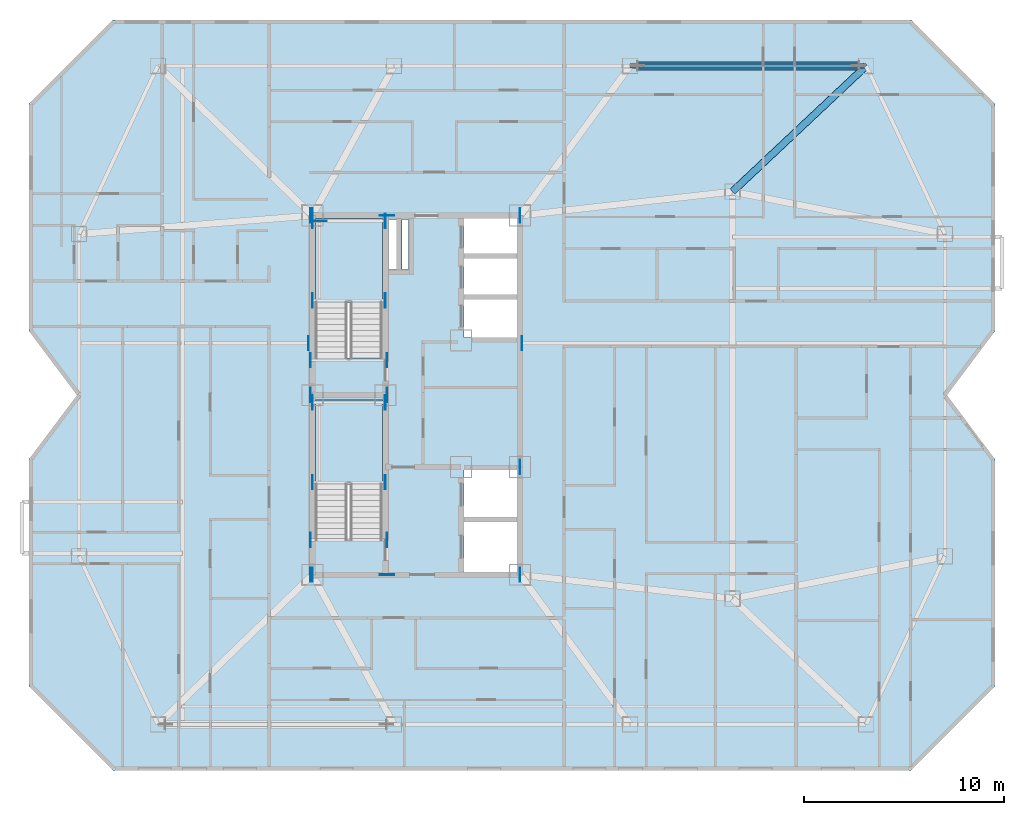
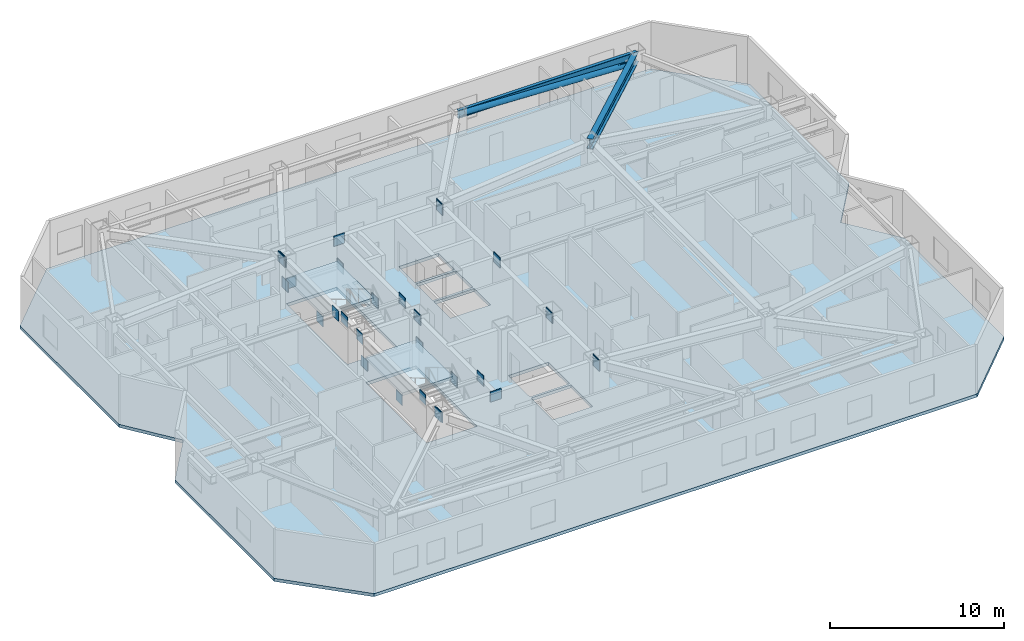
# One storey, part 2 of 12: 28 plates, 3 slabs, 2 beams, 1 member, 2 elements without a shape of their own.
"""IFC4 building model written with IfcOpenShell, lengths in metres."""

from ifc_helpers import new_model, si_unit, direction, frame, origin, origin_2d, place, context, subcontext, project, spatial, polyline, rectangle, hollow_circle, i_section, outline, extrude, material, layer, layer_set, material_profile, profile_set, type_object, element, aggregate, save


model = new_model("IFC4")

# Units and contexts
model_context = context("Model", 3, precision=1e-05, world=origin(), true_north=direction((0.0, 1.0)))
body_context = subcontext(model_context, "Body", "Model", "MODEL_VIEW")
ifc_project = project(units=[si_unit("LENGTHUNIT", "METRE"), si_unit("AREAUNIT", "SQUARE_METRE"), si_unit("VOLUMEUNIT", "CUBIC_METRE"), si_unit("PLANEANGLEUNIT", "RADIAN"), si_unit("MASSUNIT", "GRAM", prefix="KILO")], contexts=[model_context])

# Site, building, storey
site_placement = place(None, origin())
site = spatial("IfcSite", under=ifc_project, at=site_placement, CompositionType="ELEMENT")
building_placement = place(site_placement, origin())
building = spatial("IfcBuilding", under=site, at=building_placement, Name="Khamvora Tower", CompositionType="ELEMENT")
storey_placement = place(building_placement, frame((0.0, 0.0, 199.699951171875)))
storey = spatial("IfcBuildingStorey", under=building, at=storey_placement, Name="L51", CompositionType="ELEMENT", Elevation=199.699951171875)

# Beams
ifc_material_1 = material(Name="Steel S355", Category="steel")
ifc_material_profile_1 = material_profile(ifc_material_1, i_section(OverallWidth=0.35498046875, OverallDepth=0.695068359375, WebThickness=0.014892578125, FlangeThickness=0.02490234375, FilletRadius=0.01611328125, at=origin_2d()), Name="W690x217")
ifc_profile_set_1 = profile_set([ifc_material_profile_1], Name="Steel S355")
beam_type_1 = type_object("IfcBeamType", Name="BM-PG-W690x217", PredefinedType="BEAM", material=ifc_profile_set_1)
beam_1_placement = place(storey_placement, frame((50.050048828125, 38.199951171875, 3.08203125), z_axis=(0.728513992294, 0.685030921224, 0.0), x_axis=(-0.685030921224, 0.728513992294, 0.0)))
element("IfcBeam", 1, at=beam_1_placement, inside=storey, type_object=beam_type_1, Name="L51 primary floor girder N4", PredefinedType="BEAM", context=body_context, shape_type="SweptSolid", body=[
    extrude(i_section(OverallWidth=0.35498046875, OverallDepth=0.695068359375, WebThickness=0.014892578125, FlangeThickness=0.02490234375, FilletRadius=0.01611328125, at=origin_2d()), origin(), (0.0, 0.0, 1.0), 9.19677734375),
])
ifc_material_profile_2 = material_profile(ifc_material_1, i_section(OverallWidth=0.2119140625, OverallDepth=0.5439453125, WebThickness=0.012939453125, FlangeThickness=0.02099609375, FilletRadius=0.013916015625, at=origin_2d()), Name="W530x123")
ifc_profile_set_2 = profile_set([ifc_material_profile_2], Name="Steel S355")
beam_type_2 = type_object("IfcBeamType", Name="BM-SP-W530x123", PredefinedType="SPANDREL", material=ifc_profile_set_2)
beam_2_placement = place(storey_placement, frame((56.75, 44.5, 3.157958984375), z_axis=(-1.0, 0.0, 0.0), x_axis=(0.0, -1.0, 0.0)))
element("IfcBeam", 2, at=beam_2_placement, inside=storey, type_object=beam_type_2, Name="L51 perimeter spandrel beam N4-N3", PredefinedType="SPANDREL", context=body_context, shape_type="SweptSolid", body=[
    extrude(i_section(OverallWidth=0.2119140625, OverallDepth=0.5439453125, WebThickness=0.012939453125, FlangeThickness=0.02099609375, FilletRadius=0.013916015625, at=origin_2d()), origin(), (0.0, 0.0, 1.0), 11.8330078125),
])

# Member
ifc_material_profile_3 = material_profile(ifc_material_1, hollow_circle(Radius=0.202880859375, WallThickness=0.01611328125, at=origin_2d()), Name="CHS406x16")
ifc_profile_set_3 = profile_set([ifc_material_profile_3], Name="Steel S355")
member_type = type_object("IfcMemberType", Name="MEM-BR-CHS406", PredefinedType="BRACE", material=ifc_profile_set_3)
member_placement = place(storey_placement, frame((56.3701171875, 44.5, 2.695068359375), z_axis=(-0.99916825461, 0.0, 0.040777432241), x_axis=(0.0, -1.0, 0.0)))
element("IfcMember", 3, at=member_placement, inside=storey, type_object=member_type, Name="L51 perimeter wind brace 2", PredefinedType="BRACE", context=body_context, shape_type="SweptSolid", body=[
    extrude(hollow_circle(Radius=0.202880859375, WallThickness=0.01611328125, at=origin_2d()), origin(), (0.0, 0.0, 1.0), 11.082275390625),
])

# Plates
ifc_material_2 = material(Name="Steel S460", Category="steel")
ifc_layer_1 = layer(ifc_material_2, 0.034912109375)
ifc_layer_set_1 = layer_set([ifc_layer_1], Name="Steel S460")
plate_type = type_object("IfcPlateType", Name="PL-EMB-35", PredefinedType="SHEET", material=ifc_layer_set_1)
for number, where, z_axis, x_axis, name in (
    (4, (29.0, 23.635009765625, 1.13427734375), (0.0, 0.0, 1.0), (1.0, 0.0, 0.0), "L51 core shear wall cast-in embed plate 1478"),
    (5, (32.64990234375, 23.635009765625, 1.13427734375), (0.0, 0.0, 1.0), (1.0, 0.0, 0.0), "L51 core shear wall cast-in embed plate 1479"),
    (6, (29.0, 27.6298828125, 1.13427734375), (0.0, 0.0, 1.0), (1.0, 0.0, 0.0), "L51 core shear wall cast-in embed plate 1480"),
    (7, (32.64990234375, 27.6298828125, 1.13427734375), (0.0, 0.0, 1.0), (1.0, 0.0, 0.0), "L51 core shear wall cast-in embed plate 1481"),
    (8, (29.0, 32.735107421875, 1.13427734375), (0.0, 0.0, 1.0), (1.0, 0.0, 0.0), "L51 core shear wall cast-in embed plate 1482"),
    (9, (32.64990234375, 32.735107421875, 1.13427734375), (0.0, 0.0, 1.0), (1.0, 0.0, 0.0), "L51 core shear wall cast-in embed plate 1483"),
    (10, (29.0, 36.72998046875, 1.13427734375), (0.0, 0.0, 1.0), (1.0, 0.0, 0.0), "L51 core shear wall cast-in embed plate 1484"),
    (11, (32.64990234375, 36.72998046875, 1.13427734375), (0.0, 0.0, 1.0), (1.0, 0.0, 0.0), "L51 core shear wall cast-in embed plate 1485"),
):
    element("IfcPlate", number, at=place(storey_placement, frame(where, z_axis=z_axis, x_axis=x_axis)), inside=storey, type_object=plate_type, Name=name, PredefinedType="SHEET", context=body_context, shape_type="SweptSolid", body=[
        extrude(rectangle(XDim=0.034912109375, YDim=0.719970703125, at=origin_2d()), origin(), (0.0, 0.0, 1.0), 0.719970703125),
    ])
plate_1_placement = place(storey_placement, frame((29.35009765625, 36.72998046875, 1.13427734375), z_axis=(0.0, 0.0, 1.0), x_axis=(1.0, 0.0, 0.0)))
element("IfcPlate", 12, at=plate_1_placement, inside=storey, type_object=plate_type, Name="L51 core shear wall cast-in embed plate 1486", PredefinedType="SHEET", context=body_context, shape_type="SweptSolid", body=[
    extrude(rectangle(XDim=0.719970703125, YDim=0.034912109375, at=origin_2d()), origin(), (0.0, 0.0, 1.0), 0.719970703125),
])
for number, where, z_axis, x_axis, name in (
    (13, (29.0, 19.0, 2.72216796875), (0.0, 0.0, 1.0), (1.0, 0.0, 0.0), "L51 core shear wall cast-in embed plate 1487"),
    (14, (39.39990234375, 19.0, 2.72216796875), (0.0, 0.0, 1.0), (1.0, 0.0, 0.0), "L51 core shear wall cast-in embed plate 1488"),
    (15, (29.0, 37.0, 2.72216796875), (0.0, 0.0, 1.0), (1.0, 0.0, 0.0), "L51 core shear wall cast-in embed plate 1489"),
    (16, (39.39990234375, 37.0, 2.72216796875), (0.0, 0.0, 1.0), (1.0, 0.0, 0.0), "L51 core shear wall cast-in embed plate 1490"),
    (17, (28.89990234375, 19.0, 2.80322265625), (0.0, 0.0, 1.0), (1.0, 0.0, 0.0), "L51 core shear wall cast-in embed plate 1491"),
    (18, (28.89990234375, 28.0, 2.80322265625), (0.0, 0.0, 1.0), (1.0, 0.0, 0.0), "L51 core shear wall cast-in embed plate 1492"),
    (19, (28.89990234375, 37.0, 2.80322265625), (0.0, 0.0, 1.0), (1.0, 0.0, 0.0), "L51 core shear wall cast-in embed plate 1493"),
):
    element("IfcPlate", number, at=place(storey_placement, frame(where, z_axis=z_axis, x_axis=x_axis)), inside=storey, type_object=plate_type, Name=name, PredefinedType="SHEET", context=body_context, shape_type="SweptSolid", body=[
        extrude(rectangle(XDim=0.034912109375, YDim=0.719970703125, at=origin_2d()), origin(), (0.0, 0.0, 1.0), 0.719970703125),
    ])
plate_2_placement = place(storey_placement, frame((32.72998046875, 19.0, 2.80322265625), z_axis=(0.0, 0.0, 1.0), x_axis=(1.0, 0.0, 0.0)))
element("IfcPlate", 20, at=plate_2_placement, inside=storey, type_object=plate_type, Name="L51 core shear wall cast-in embed plate 1494", PredefinedType="SHEET", context=body_context, shape_type="SweptSolid", body=[
    extrude(rectangle(XDim=0.719970703125, YDim=0.034912109375, at=origin_2d()), origin(), (0.0, 0.0, 1.0), 0.719970703125),
])
plate_3_placement = place(storey_placement, frame((32.72998046875, 28.0, 2.80322265625), z_axis=(0.0, 0.0, 1.0), x_axis=(1.0, 0.0, 0.0)))
element("IfcPlate", 21, at=plate_3_placement, inside=storey, type_object=plate_type, Name="L51 core shear wall cast-in embed plate 1495", PredefinedType="SHEET", context=body_context, shape_type="SweptSolid", body=[
    extrude(rectangle(XDim=0.034912109375, YDim=0.719970703125, at=origin_2d()), origin(), (0.0, 0.0, 1.0), 0.719970703125),
])
plate_4_placement = place(storey_placement, frame((32.72998046875, 37.0, 2.80322265625), z_axis=(0.0, 0.0, 1.0), x_axis=(1.0, 0.0, 0.0)))
element("IfcPlate", 22, at=plate_4_placement, inside=storey, type_object=plate_type, Name="L51 core shear wall cast-in embed plate 1496", PredefinedType="SHEET", context=body_context, shape_type="SweptSolid", body=[
    extrude(rectangle(XDim=0.719970703125, YDim=0.034912109375, at=origin_2d()), origin(), (0.0, 0.0, 1.0), 0.719970703125),
])
for number, where, z_axis, x_axis, name in (
    (23, (39.39990234375, 19.0, 2.80322265625), (0.0, 0.0, 1.0), (1.0, 0.0, 0.0), "L51 core shear wall cast-in embed plate 1497"),
    (24, (39.39990234375, 24.39990234375, 2.80322265625), (0.0, 0.0, 1.0), (1.0, 0.0, 0.0), "L51 core shear wall cast-in embed plate 1498"),
    (25, (39.39990234375, 37.0, 2.80322265625), (0.0, 0.0, 1.0), (1.0, 0.0, 0.0), "L51 core shear wall cast-in embed plate 1499"),
    (26, (28.89990234375, 20.75, 2.94384765625), (0.0, 0.0, 1.0), (1.0, 0.0, 0.0), "L51 core shear wall cast-in embed plate 1500"),
    (27, (32.72998046875, 20.75, 2.94384765625), (0.0, 0.0, 1.0), (1.0, 0.0, 0.0), "L51 core shear wall cast-in embed plate 1501"),
    (28, (28.89990234375, 29.75, 2.94384765625), (0.0, 0.0, 1.0), (1.0, 0.0, 0.0), "L51 core shear wall cast-in embed plate 1502"),
    (29, (32.72998046875, 29.75, 2.94384765625), (0.0, 0.0, 1.0), (1.0, 0.0, 0.0), "L51 core shear wall cast-in embed plate 1503"),
    (30, (28.800048828125, 30.60009765625, 2.89208984375), (0.0, 0.0, 1.0), (1.0, 0.0, 0.0), "L51 core shear wall cast-in embed plate 1504"),
    (31, (39.4990234375, 30.60009765625, 2.89208984375), (0.0, 0.0, 1.0), (1.0, 0.0, 0.0), "L51 core shear wall cast-in embed plate 1505"),
):
    element("IfcPlate", number, at=place(storey_placement, frame(where, z_axis=z_axis, x_axis=x_axis)), inside=storey, type_object=plate_type, Name=name, PredefinedType="SHEET", context=body_context, shape_type="SweptSolid", body=[
        extrude(rectangle(XDim=0.034912109375, YDim=0.719970703125, at=origin_2d()), origin(), (0.0, 0.0, 1.0), 0.719970703125),
    ])

# Stair, slab
ifc_material_3 = material(Name="Concrete C40/50", Category="concrete")
stair_type_1 = type_object("IfcStairType", Name="STR-ST-01", PredefinedType="HALF_TURN_STAIR", material=ifc_material_3)
stair_1_placement = place(storey_placement, origin())
stair_1 = element("IfcStair", 32, at=stair_1_placement, inside=storey, type_object=stair_type_1, Name="L51 South Tower Exit Stair ST-01", PredefinedType="HALF_TURN_STAIR")
ifc_layer_2 = layer(ifc_material_3, 0.199951171875)
ifc_layer_set_2 = layer_set([ifc_layer_2], Name="Concrete C40/50")
slab_type_1 = type_object("IfcSlabType", Name="SLB-LND-200", PredefinedType="LANDING", material=ifc_layer_set_2)
slab_1_placement = place(storey_placement, frame((0.0, 0.0, 1.625)))
slab_1 = element("IfcSlab", 33, at=slab_1_placement, type_object=slab_type_1, Name="ST-01 landing 1", PredefinedType="LANDING", context=body_context, shape_type="SweptSolid", body=[
    extrude(outline(polyline([(32.5, 23.514892578125), (32.5, 27.75), (29.14990234375, 27.75), (29.14990234375, 23.514892578125), (32.5, 23.514892578125)])), origin(), (0.0, 0.0, 1.0), 0.199951171875),
])
aggregate(stair_1, [slab_1])

stair_type_2 = type_object("IfcStairType", Name="STR-ST-02", PredefinedType="HALF_TURN_STAIR", material=ifc_material_3)
stair_2_placement = place(storey_placement, origin())
stair_2 = element("IfcStair", 34, at=stair_2_placement, inside=storey, type_object=stair_type_2, Name="L51 North Tower Exit Stair ST-02", PredefinedType="HALF_TURN_STAIR")
slab_2_placement = place(storey_placement, frame((0.0, 0.0, 1.625)))
slab_2 = element("IfcSlab", 35, at=slab_2_placement, type_object=slab_type_1, Name="ST-02 landing 1", PredefinedType="LANDING", context=body_context, shape_type="SweptSolid", body=[
    extrude(outline(polyline([(32.5, 32.614990234375), (32.5, 36.85009765625), (29.14990234375, 36.85009765625), (29.14990234375, 32.614990234375), (32.5, 32.614990234375)])), origin(), (0.0, 0.0, 1.0), 0.199951171875),
])
aggregate(stair_2, [slab_2])

# Slab
ifc_material_4 = material(Name="Concrete C35/45", Category="concrete")
ifc_layer_3 = layer(ifc_material_4, 0.219970703125)
ifc_layer_set_3 = layer_set([ifc_layer_3], Name="Concrete C35/45")
slab_type_2 = type_object("IfcSlabType", Name="SLB-TYP-220", PredefinedType="FLOOR", material=ifc_layer_set_3)
slab_3_placement = place(storey_placement, frame((0.0, 0.0, -0.219970703125)))
element("IfcSlab", 36, at=slab_3_placement, inside=storey, type_object=slab_type_2, Name="L51 structural floor slab", PredefinedType="FLOOR", context=body_context, shape_type="SweptSolid", body=[
    extrude(outline(polyline([(19.0, 9.199951171875), (59.0, 9.199951171875), (63.199951171875, 13.39990234375), (63.199951171875, 24.800048828125), (60.800048828125, 28.0), (63.199951171875, 31.199951171875), (63.199951171875, 42.60009765625), (59.0, 46.800048828125), (19.0, 46.800048828125), (14.800048828125, 42.60009765625), (14.800048828125, 31.199951171875), (17.199951171875, 28.0), (14.800048828125, 24.800048828125), (14.800048828125, 13.39990234375), (19.0, 9.199951171875)]), holes=[polyline([(32.5, 20.760009765625), (32.5, 27.75), (29.14990234375, 27.75), (29.14990234375, 20.760009765625), (32.5, 20.760009765625)]), polyline([(32.5, 29.860107421875), (32.5, 36.85009765625), (29.14990234375, 36.85009765625), (29.14990234375, 29.860107421875), (32.5, 29.860107421875)]), polyline([(36.60009765625, 19.14990234375), (39.25, 19.14990234375), (39.25, 21.64990234375), (36.60009765625, 21.64990234375), (36.60009765625, 19.14990234375)]), polyline([(36.60009765625, 21.800048828125), (39.25, 21.800048828125), (39.25, 24.25), (36.60009765625, 24.25), (36.60009765625, 21.800048828125)]), polyline([(36.60009765625, 30.89990234375), (39.25, 30.89990234375), (39.25, 32.800048828125), (36.60009765625, 32.800048828125), (36.60009765625, 30.89990234375)]), polyline([(36.60009765625, 32.949951171875), (39.25, 32.949951171875), (39.25, 34.85009765625), (36.60009765625, 34.85009765625), (36.60009765625, 32.949951171875)]), polyline([(36.60009765625, 35.0), (39.25, 35.0), (39.25, 36.85009765625), (36.60009765625, 36.85009765625), (36.60009765625, 35.0)]), polyline([(32.800048828125, 34.300048828125), (33.199951171875, 34.300048828125), (33.199951171875, 36.800048828125), (32.800048828125, 36.800048828125), (32.800048828125, 34.300048828125)]), polyline([(33.47998046875, 34.300048828125), (33.820068359375, 34.300048828125), (33.820068359375, 36.800048828125), (33.47998046875, 36.800048828125), (33.47998046875, 34.300048828125)])]), origin(), (0.0, 0.0, 1.0), 0.219970703125),
])

save(model, "model.ifc")
